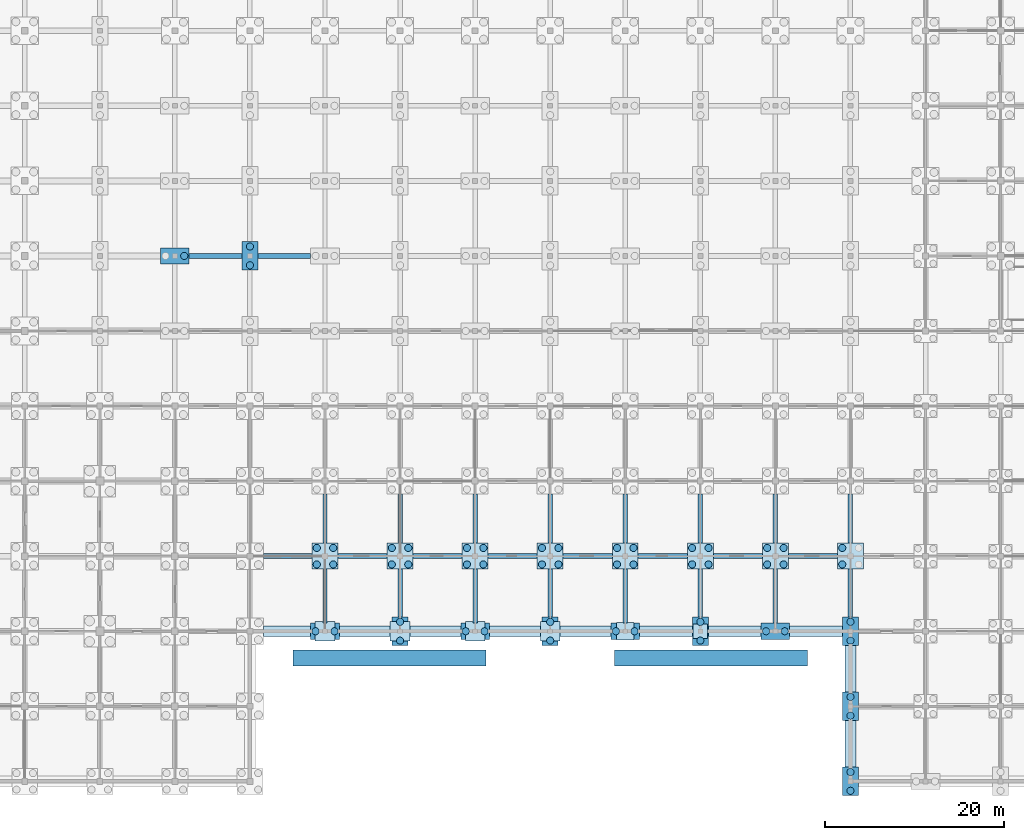
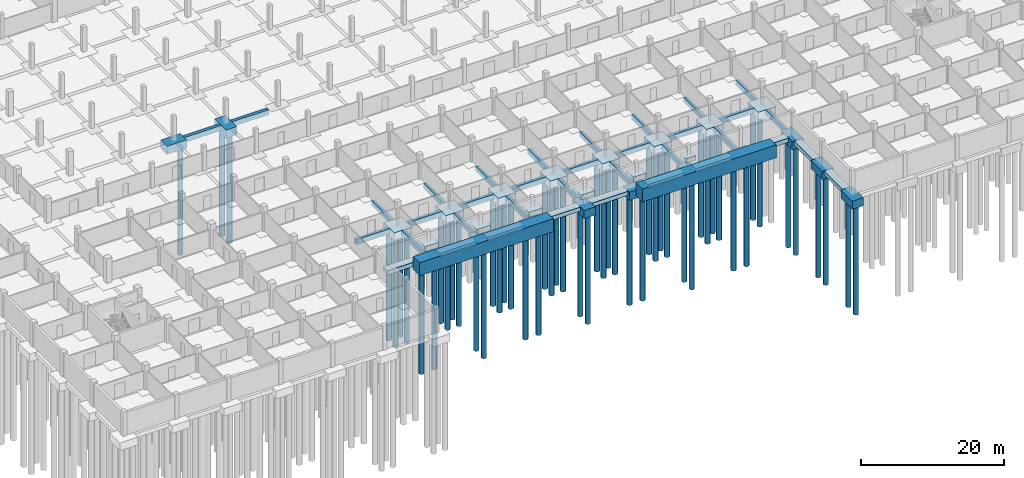
# One storey, part 4 of 43: 64 footings, 53 piles.
"""IFC4 building model written with IfcOpenShell, lengths in metres."""

from ifc_helpers import new_model, si_unit, direction, frame, origin, origin_2d, place, context, subcontext, project, spatial, rectangle, circle, extrude, material, material_profile, profile_set, type_object, element, save


model = new_model("IFC4")

# Units and contexts
model_context = context("Model", 3, precision=1e-05, world=origin(), true_north=direction((0.0, 1.0)))
body_context = subcontext(model_context, "Body", "Model", "MODEL_VIEW")
ifc_project = project(units=[si_unit("LENGTHUNIT", "METRE"), si_unit("AREAUNIT", "SQUARE_METRE"), si_unit("VOLUMEUNIT", "CUBIC_METRE"), si_unit("PLANEANGLEUNIT", "RADIAN"), si_unit("MASSUNIT", "GRAM", prefix="KILO")], contexts=[model_context])

# Site, building, storey
site_placement = place(None, origin())
site = spatial("IfcSite", under=ifc_project, at=site_placement, CompositionType="ELEMENT")
building_placement = place(site_placement, origin())
building = spatial("IfcBuilding", under=site, at=building_placement, Name="Varnapada Polytechnic", CompositionType="ELEMENT")
storey_placement = place(building_placement, frame((0.0, 0.0, -4.199951171875)))
storey = spatial("IfcBuildingStorey", under=building, at=storey_placement, Name="B1", CompositionType="ELEMENT", Elevation=-4.199951171875)

# Piles
ifc_material = material(Name="Concrete C40/50", Category="concrete")
ifc_material_profile = material_profile(ifc_material, circle(Radius=0.39990234375, at=origin_2d()), Name="BP 800")
ifc_profile_set = profile_set([ifc_material_profile], Name="Concrete C40/50")
pile_type = type_object("IfcPileType", Name="Bored Pile BP 800", PredefinedType="BORED", material=ifc_profile_set)
for number, where, z_axis, x_axis, name in (
    (1, (51.449951171875, 58.800048828125, -1.300048828125), (0.0, 0.0, -1.0), (1.0, 0.0, 0.0), "Bored pile P-03 under CAP-06-07 (2)"),
    (2, (58.800048828125, 57.75, -1.300048828125), (0.0, 0.0, -1.0), (1.0, 0.0, 0.0), "Bored pile P-03 under CAP-07-07 (1)"),
    (3, (58.800048828125, 59.85009765625, -1.300048828125), (0.0, 0.0, -1.0), (1.0, 0.0, 0.0), "Bored pile P-03 under CAP-07-07 (2)"),
    (4, (66.14990234375, 16.800048828125, -1.300048828125), (0.0, 0.0, -1.0), (1.0, 0.0, 0.0), "Bored pile P-03 under CAP-08-02 (1)"),
    (5, (68.25, 16.800048828125, -1.300048828125), (0.0, 0.0, -1.0), (1.0, 0.0, 0.0), "Bored pile P-03 under CAP-08-02 (2)"),
):
    element("IfcPile", number, at=place(storey_placement, frame(where, z_axis=z_axis, x_axis=x_axis)), inside=storey, type_object=pile_type, Name=name, PredefinedType="BORED", context=body_context, shape_type="SweptSolid", body=[
        extrude(circle(Radius=0.39990234375, at=origin_2d()), origin(), (0.0, 0.0, 1.0), 18.5),
    ])
for number, where, z_axis, x_axis, name in (
    (6, (66.280029296875, 24.280029296875, -1.199951171875), (0.0, 0.0, -1.0), (1.0, 0.0, 0.0), "Bored pile P-03 under CAP-08-03 (1)"),
    (7, (68.1201171875, 24.280029296875, -1.199951171875), (0.0, 0.0, -1.0), (1.0, 0.0, 0.0), "Bored pile P-03 under CAP-08-03 (2)"),
    (8, (66.280029296875, 26.1201171875, -1.199951171875), (0.0, 0.0, -1.0), (1.0, 0.0, 0.0), "Bored pile P-03 under CAP-08-03 (3)"),
    (9, (68.1201171875, 26.1201171875, -1.199951171875), (0.0, 0.0, -1.0), (1.0, 0.0, 0.0), "Bored pile P-03 under CAP-08-03 (4)"),
):
    element("IfcPile", number, at=place(storey_placement, frame(where, z_axis=z_axis, x_axis=x_axis)), inside=storey, type_object=pile_type, Name=name, PredefinedType="BORED", context=body_context, shape_type="SweptSolid", body=[
        extrude(circle(Radius=0.39990234375, at=origin_2d()), origin(), (0.0, 0.0, 1.0), 18.60009765625),
    ])
for number, where, z_axis, x_axis, name in (
    (10, (75.60009765625, 15.75, -1.300048828125), (0.0, 0.0, -1.0), (1.0, 0.0, 0.0), "Bored pile P-03 under CAP-09-02 (1)"),
    (11, (75.60009765625, 17.85009765625, -1.300048828125), (0.0, 0.0, -1.0), (1.0, 0.0, 0.0), "Bored pile P-03 under CAP-09-02 (2)"),
):
    element("IfcPile", number, at=place(storey_placement, frame(where, z_axis=z_axis, x_axis=x_axis)), inside=storey, type_object=pile_type, Name=name, PredefinedType="BORED", context=body_context, shape_type="SweptSolid", body=[
        extrude(circle(Radius=0.39990234375, at=origin_2d()), origin(), (0.0, 0.0, 1.0), 18.5),
    ])
for number, where, z_axis, x_axis, name in (
    (12, (74.679931640625, 24.280029296875, -1.199951171875), (0.0, 0.0, -1.0), (1.0, 0.0, 0.0), "Bored pile P-03 under CAP-09-03 (1)"),
    (13, (76.52001953125, 24.280029296875, -1.199951171875), (0.0, 0.0, -1.0), (1.0, 0.0, 0.0), "Bored pile P-03 under CAP-09-03 (2)"),
    (14, (74.679931640625, 26.1201171875, -1.199951171875), (0.0, 0.0, -1.0), (1.0, 0.0, 0.0), "Bored pile P-03 under CAP-09-03 (3)"),
    (15, (76.52001953125, 26.1201171875, -1.199951171875), (0.0, 0.0, -1.0), (1.0, 0.0, 0.0), "Bored pile P-03 under CAP-09-03 (4)"),
):
    element("IfcPile", number, at=place(storey_placement, frame(where, z_axis=z_axis, x_axis=x_axis)), inside=storey, type_object=pile_type, Name=name, PredefinedType="BORED", context=body_context, shape_type="SweptSolid", body=[
        extrude(circle(Radius=0.39990234375, at=origin_2d()), origin(), (0.0, 0.0, 1.0), 18.60009765625),
    ])
for number, where, z_axis, x_axis, name in (
    (16, (82.949951171875, 16.800048828125, -1.300048828125), (0.0, 0.0, -1.0), (1.0, 0.0, 0.0), "Bored pile P-03 under CAP-10-02 (1)"),
    (17, (85.050048828125, 16.800048828125, -1.300048828125), (0.0, 0.0, -1.0), (1.0, 0.0, 0.0), "Bored pile P-03 under CAP-10-02 (2)"),
):
    element("IfcPile", number, at=place(storey_placement, frame(where, z_axis=z_axis, x_axis=x_axis)), inside=storey, type_object=pile_type, Name=name, PredefinedType="BORED", context=body_context, shape_type="SweptSolid", body=[
        extrude(circle(Radius=0.39990234375, at=origin_2d()), origin(), (0.0, 0.0, 1.0), 18.5),
    ])
for number, where, z_axis, x_axis, name in (
    (18, (83.080078125, 24.280029296875, -1.199951171875), (0.0, 0.0, -1.0), (1.0, 0.0, 0.0), "Bored pile P-03 under CAP-10-03 (1)"),
    (19, (84.919921875, 24.280029296875, -1.199951171875), (0.0, 0.0, -1.0), (1.0, 0.0, 0.0), "Bored pile P-03 under CAP-10-03 (2)"),
    (20, (83.080078125, 26.1201171875, -1.199951171875), (0.0, 0.0, -1.0), (1.0, 0.0, 0.0), "Bored pile P-03 under CAP-10-03 (3)"),
    (21, (84.919921875, 26.1201171875, -1.199951171875), (0.0, 0.0, -1.0), (1.0, 0.0, 0.0), "Bored pile P-03 under CAP-10-03 (4)"),
):
    element("IfcPile", number, at=place(storey_placement, frame(where, z_axis=z_axis, x_axis=x_axis)), inside=storey, type_object=pile_type, Name=name, PredefinedType="BORED", context=body_context, shape_type="SweptSolid", body=[
        extrude(circle(Radius=0.39990234375, at=origin_2d()), origin(), (0.0, 0.0, 1.0), 18.60009765625),
    ])
for number, where, z_axis, x_axis, name in (
    (22, (92.39990234375, 15.75, -1.300048828125), (0.0, 0.0, -1.0), (1.0, 0.0, 0.0), "Bored pile P-03 under CAP-11-02 (1)"),
    (23, (92.39990234375, 17.85009765625, -1.300048828125), (0.0, 0.0, -1.0), (1.0, 0.0, 0.0), "Bored pile P-03 under CAP-11-02 (2)"),
):
    element("IfcPile", number, at=place(storey_placement, frame(where, z_axis=z_axis, x_axis=x_axis)), inside=storey, type_object=pile_type, Name=name, PredefinedType="BORED", context=body_context, shape_type="SweptSolid", body=[
        extrude(circle(Radius=0.39990234375, at=origin_2d()), origin(), (0.0, 0.0, 1.0), 18.5),
    ])
for number, where, z_axis, x_axis, name in (
    (24, (91.47998046875, 24.280029296875, -1.199951171875), (0.0, 0.0, -1.0), (1.0, 0.0, 0.0), "Bored pile P-03 under CAP-11-03 (1)"),
    (25, (93.320068359375, 24.280029296875, -1.199951171875), (0.0, 0.0, -1.0), (1.0, 0.0, 0.0), "Bored pile P-03 under CAP-11-03 (2)"),
    (26, (91.47998046875, 26.1201171875, -1.199951171875), (0.0, 0.0, -1.0), (1.0, 0.0, 0.0), "Bored pile P-03 under CAP-11-03 (3)"),
    (27, (93.320068359375, 26.1201171875, -1.199951171875), (0.0, 0.0, -1.0), (1.0, 0.0, 0.0), "Bored pile P-03 under CAP-11-03 (4)"),
):
    element("IfcPile", number, at=place(storey_placement, frame(where, z_axis=z_axis, x_axis=x_axis)), inside=storey, type_object=pile_type, Name=name, PredefinedType="BORED", context=body_context, shape_type="SweptSolid", body=[
        extrude(circle(Radius=0.39990234375, at=origin_2d()), origin(), (0.0, 0.0, 1.0), 18.60009765625),
    ])
for number, where, z_axis, x_axis, name in (
    (28, (99.75, 16.800048828125, -1.300048828125), (0.0, 0.0, -1.0), (1.0, 0.0, 0.0), "Bored pile P-03 under CAP-12-02 (1)"),
    (29, (101.85009765625, 16.800048828125, -1.300048828125), (0.0, 0.0, -1.0), (1.0, 0.0, 0.0), "Bored pile P-03 under CAP-12-02 (2)"),
):
    element("IfcPile", number, at=place(storey_placement, frame(where, z_axis=z_axis, x_axis=x_axis)), inside=storey, type_object=pile_type, Name=name, PredefinedType="BORED", context=body_context, shape_type="SweptSolid", body=[
        extrude(circle(Radius=0.39990234375, at=origin_2d()), origin(), (0.0, 0.0, 1.0), 18.5),
    ])
for number, where, z_axis, x_axis, name in (
    (30, (99.8798828125, 24.280029296875, -1.199951171875), (0.0, 0.0, -1.0), (1.0, 0.0, 0.0), "Bored pile P-03 under CAP-12-03 (1)"),
    (31, (101.719970703125, 24.280029296875, -1.199951171875), (0.0, 0.0, -1.0), (1.0, 0.0, 0.0), "Bored pile P-03 under CAP-12-03 (2)"),
    (32, (99.8798828125, 26.1201171875, -1.199951171875), (0.0, 0.0, -1.0), (1.0, 0.0, 0.0), "Bored pile P-03 under CAP-12-03 (3)"),
    (33, (101.719970703125, 26.1201171875, -1.199951171875), (0.0, 0.0, -1.0), (1.0, 0.0, 0.0), "Bored pile P-03 under CAP-12-03 (4)"),
):
    element("IfcPile", number, at=place(storey_placement, frame(where, z_axis=z_axis, x_axis=x_axis)), inside=storey, type_object=pile_type, Name=name, PredefinedType="BORED", context=body_context, shape_type="SweptSolid", body=[
        extrude(circle(Radius=0.39990234375, at=origin_2d()), origin(), (0.0, 0.0, 1.0), 18.60009765625),
    ])
for number, where, z_axis, x_axis, name in (
    (34, (109.199951171875, 15.75, -1.300048828125), (0.0, 0.0, -1.0), (1.0, 0.0, 0.0), "Bored pile P-03 under CAP-13-02 (1)"),
    (35, (109.199951171875, 17.85009765625, -1.300048828125), (0.0, 0.0, -1.0), (1.0, 0.0, 0.0), "Bored pile P-03 under CAP-13-02 (2)"),
):
    element("IfcPile", number, at=place(storey_placement, frame(where, z_axis=z_axis, x_axis=x_axis)), inside=storey, type_object=pile_type, Name=name, PredefinedType="BORED", context=body_context, shape_type="SweptSolid", body=[
        extrude(circle(Radius=0.39990234375, at=origin_2d()), origin(), (0.0, 0.0, 1.0), 18.5),
    ])
for number, where, z_axis, x_axis, name in (
    (36, (108.280029296875, 24.280029296875, -1.199951171875), (0.0, 0.0, -1.0), (1.0, 0.0, 0.0), "Bored pile P-03 under CAP-13-03 (1)"),
    (37, (110.1201171875, 24.280029296875, -1.199951171875), (0.0, 0.0, -1.0), (1.0, 0.0, 0.0), "Bored pile P-03 under CAP-13-03 (2)"),
    (38, (108.280029296875, 26.1201171875, -1.199951171875), (0.0, 0.0, -1.0), (1.0, 0.0, 0.0), "Bored pile P-03 under CAP-13-03 (3)"),
    (39, (110.1201171875, 26.1201171875, -1.199951171875), (0.0, 0.0, -1.0), (1.0, 0.0, 0.0), "Bored pile P-03 under CAP-13-03 (4)"),
):
    element("IfcPile", number, at=place(storey_placement, frame(where, z_axis=z_axis, x_axis=x_axis)), inside=storey, type_object=pile_type, Name=name, PredefinedType="BORED", context=body_context, shape_type="SweptSolid", body=[
        extrude(circle(Radius=0.39990234375, at=origin_2d()), origin(), (0.0, 0.0, 1.0), 18.60009765625),
    ])
for number, where, z_axis, x_axis, name in (
    (40, (116.550048828125, 16.800048828125, -1.300048828125), (0.0, 0.0, -1.0), (1.0, 0.0, 0.0), "Bored pile P-03 under CAP-14-02 (1)"),
    (41, (118.64990234375, 16.800048828125, -1.300048828125), (0.0, 0.0, -1.0), (1.0, 0.0, 0.0), "Bored pile P-03 under CAP-14-02 (2)"),
):
    element("IfcPile", number, at=place(storey_placement, frame(where, z_axis=z_axis, x_axis=x_axis)), inside=storey, type_object=pile_type, Name=name, PredefinedType="BORED", context=body_context, shape_type="SweptSolid", body=[
        extrude(circle(Radius=0.39990234375, at=origin_2d()), origin(), (0.0, 0.0, 1.0), 18.5),
    ])
for number, where, z_axis, x_axis, name in (
    (42, (116.679931640625, 24.280029296875, -1.199951171875), (0.0, 0.0, -1.0), (1.0, 0.0, 0.0), "Bored pile P-03 under CAP-14-03 (1)"),
    (43, (118.52001953125, 24.280029296875, -1.199951171875), (0.0, 0.0, -1.0), (1.0, 0.0, 0.0), "Bored pile P-03 under CAP-14-03 (2)"),
    (44, (116.679931640625, 26.1201171875, -1.199951171875), (0.0, 0.0, -1.0), (1.0, 0.0, 0.0), "Bored pile P-03 under CAP-14-03 (3)"),
    (45, (118.52001953125, 26.1201171875, -1.199951171875), (0.0, 0.0, -1.0), (1.0, 0.0, 0.0), "Bored pile P-03 under CAP-14-03 (4)"),
):
    element("IfcPile", number, at=place(storey_placement, frame(where, z_axis=z_axis, x_axis=x_axis)), inside=storey, type_object=pile_type, Name=name, PredefinedType="BORED", context=body_context, shape_type="SweptSolid", body=[
        extrude(circle(Radius=0.39990234375, at=origin_2d()), origin(), (0.0, 0.0, 1.0), 18.60009765625),
    ])
for number, where, z_axis, x_axis, name in (
    (46, (126.0, -1.050048828125, -1.300048828125), (0.0, 0.0, -1.0), (1.0, 0.0, 0.0), "Bored pile P-03 under CAP-15-00 (1)"),
    (47, (126.0, 1.050048828125, -1.300048828125), (0.0, 0.0, -1.0), (1.0, 0.0, 0.0), "Bored pile P-03 under CAP-15-00 (2)"),
    (48, (126.0, 7.35009765625, -1.300048828125), (0.0, 0.0, -1.0), (1.0, 0.0, 0.0), "Bored pile P-03 under CAP-15-01 (1)"),
    (49, (126.0, 9.449951171875, -1.300048828125), (0.0, 0.0, -1.0), (1.0, 0.0, 0.0), "Bored pile P-03 under CAP-15-01 (2)"),
    (50, (126.0, 15.75, -1.300048828125), (0.0, 0.0, -1.0), (1.0, 0.0, 0.0), "Bored pile P-03 under CAP-15-02 (1)"),
    (51, (126.0, 17.85009765625, -1.300048828125), (0.0, 0.0, -1.0), (1.0, 0.0, 0.0), "Bored pile P-03 under CAP-15-02 (2)"),
):
    element("IfcPile", number, at=place(storey_placement, frame(where, z_axis=z_axis, x_axis=x_axis)), inside=storey, type_object=pile_type, Name=name, PredefinedType="BORED", context=body_context, shape_type="SweptSolid", body=[
        extrude(circle(Radius=0.39990234375, at=origin_2d()), origin(), (0.0, 0.0, 1.0), 18.5),
    ])
for number, where, z_axis, x_axis, name in (
    (52, (125.080078125, 24.280029296875, -1.199951171875), (0.0, 0.0, -1.0), (1.0, 0.0, 0.0), "Bored pile P-03 under CAP-15-03 (1)"),
    (53, (125.080078125, 26.1201171875, -1.199951171875), (0.0, 0.0, -1.0), (1.0, 0.0, 0.0), "Bored pile P-03 under CAP-15-03 (3)"),
):
    element("IfcPile", number, at=place(storey_placement, frame(where, z_axis=z_axis, x_axis=x_axis)), inside=storey, type_object=pile_type, Name=name, PredefinedType="BORED", context=body_context, shape_type="SweptSolid", body=[
        extrude(circle(Radius=0.39990234375, at=origin_2d()), origin(), (0.0, 0.0, 1.0), 18.60009765625),
    ])

# Footings
footing_type_1 = type_object("IfcFootingType", Name="Footing GB-02", PredefinedType="FOOTING_BEAM", material=ifc_material)
footing_1_placement = place(storey_placement, frame((67.199951171875, 20.72509765625, -0.80029296875), z_axis=(0.0, 0.0, 1.0), x_axis=(0.0, 1.0, 0.0)))
element("IfcFooting", 54, at=footing_1_placement, inside=storey, type_object=footing_type_1, Name="Ground footing beam GB-02 Y 3-4", PredefinedType="FOOTING_BEAM", context=body_context, shape_type="SweptSolid", body=[
    extrude(rectangle(XDim=6.050048828125, YDim=0.5, at=origin_2d()), origin(), (0.0, 0.0, 1.0), 0.800048828125),
])
footing_2_placement = place(storey_placement, frame((67.199951171875, 29.39990234375, -0.80029296875), z_axis=(0.0, 0.0, 1.0), x_axis=(0.0, 1.0, 0.0)))
element("IfcFooting", 55, at=footing_2_placement, inside=storey, type_object=footing_type_1, Name="Ground footing beam GB-02 Y 4-5", PredefinedType="FOOTING_BEAM", context=body_context, shape_type="SweptSolid", body=[
    extrude(rectangle(XDim=5.5, YDim=0.5, at=origin_2d()), origin(), (0.0, 0.0, 1.0), 0.800048828125),
])
footing_3_placement = place(storey_placement, frame((75.60009765625, 21.074951171875, -0.80029296875), z_axis=(0.0, 0.0, 1.0), x_axis=(0.0, 1.0, 0.0)))
element("IfcFooting", 56, at=footing_3_placement, inside=storey, type_object=footing_type_1, Name="Ground footing beam GB-02 Y 3-4", PredefinedType="FOOTING_BEAM", context=body_context, shape_type="SweptSolid", body=[
    extrude(rectangle(XDim=5.35009765625, YDim=0.5, at=origin_2d()), origin(), (0.0, 0.0, 1.0), 0.800048828125),
])
footing_4_placement = place(storey_placement, frame((75.60009765625, 29.39990234375, -0.80029296875), z_axis=(0.0, 0.0, 1.0), x_axis=(0.0, 1.0, 0.0)))
element("IfcFooting", 57, at=footing_4_placement, inside=storey, type_object=footing_type_1, Name="Ground footing beam GB-02 Y 4-5", PredefinedType="FOOTING_BEAM", context=body_context, shape_type="SweptSolid", body=[
    extrude(rectangle(XDim=5.5, YDim=0.5, at=origin_2d()), origin(), (0.0, 0.0, 1.0), 0.800048828125),
])
footing_5_placement = place(storey_placement, frame((84.0, 20.72509765625, -0.80029296875), z_axis=(0.0, 0.0, 1.0), x_axis=(0.0, 1.0, 0.0)))
element("IfcFooting", 58, at=footing_5_placement, inside=storey, type_object=footing_type_1, Name="Ground footing beam GB-02 Y 3-4", PredefinedType="FOOTING_BEAM", context=body_context, shape_type="SweptSolid", body=[
    extrude(rectangle(XDim=6.050048828125, YDim=0.5, at=origin_2d()), origin(), (0.0, 0.0, 1.0), 0.800048828125),
])
footing_6_placement = place(storey_placement, frame((84.0, 29.39990234375, -0.80029296875), z_axis=(0.0, 0.0, 1.0), x_axis=(0.0, 1.0, 0.0)))
element("IfcFooting", 59, at=footing_6_placement, inside=storey, type_object=footing_type_1, Name="Ground footing beam GB-02 Y 4-5", PredefinedType="FOOTING_BEAM", context=body_context, shape_type="SweptSolid", body=[
    extrude(rectangle(XDim=5.5, YDim=0.5, at=origin_2d()), origin(), (0.0, 0.0, 1.0), 0.800048828125),
])
footing_7_placement = place(storey_placement, frame((92.39990234375, 21.074951171875, -0.80029296875), z_axis=(0.0, 0.0, 1.0), x_axis=(0.0, 1.0, 0.0)))
element("IfcFooting", 60, at=footing_7_placement, inside=storey, type_object=footing_type_1, Name="Ground footing beam GB-02 Y 3-4", PredefinedType="FOOTING_BEAM", context=body_context, shape_type="SweptSolid", body=[
    extrude(rectangle(XDim=5.35009765625, YDim=0.5, at=origin_2d()), origin(), (0.0, 0.0, 1.0), 0.800048828125),
])
footing_8_placement = place(storey_placement, frame((92.39990234375, 29.39990234375, -0.80029296875), z_axis=(0.0, 0.0, 1.0), x_axis=(0.0, 1.0, 0.0)))
element("IfcFooting", 61, at=footing_8_placement, inside=storey, type_object=footing_type_1, Name="Ground footing beam GB-02 Y 4-5", PredefinedType="FOOTING_BEAM", context=body_context, shape_type="SweptSolid", body=[
    extrude(rectangle(XDim=5.5, YDim=0.5, at=origin_2d()), origin(), (0.0, 0.0, 1.0), 0.800048828125),
])
footing_9_placement = place(storey_placement, frame((100.800048828125, 20.72509765625, -0.80029296875), z_axis=(0.0, 0.0, 1.0), x_axis=(0.0, 1.0, 0.0)))
element("IfcFooting", 62, at=footing_9_placement, inside=storey, type_object=footing_type_1, Name="Ground footing beam GB-02 Y 3-4", PredefinedType="FOOTING_BEAM", context=body_context, shape_type="SweptSolid", body=[
    extrude(rectangle(XDim=6.050048828125, YDim=0.5, at=origin_2d()), origin(), (0.0, 0.0, 1.0), 0.800048828125),
])
footing_10_placement = place(storey_placement, frame((100.800048828125, 29.39990234375, -0.80029296875), z_axis=(0.0, 0.0, 1.0), x_axis=(0.0, 1.0, 0.0)))
element("IfcFooting", 63, at=footing_10_placement, inside=storey, type_object=footing_type_1, Name="Ground footing beam GB-02 Y 4-5", PredefinedType="FOOTING_BEAM", context=body_context, shape_type="SweptSolid", body=[
    extrude(rectangle(XDim=5.5, YDim=0.5, at=origin_2d()), origin(), (0.0, 0.0, 1.0), 0.800048828125),
])
footing_11_placement = place(storey_placement, frame((109.199951171875, 21.074951171875, -0.80029296875), z_axis=(0.0, 0.0, 1.0), x_axis=(0.0, 1.0, 0.0)))
element("IfcFooting", 64, at=footing_11_placement, inside=storey, type_object=footing_type_1, Name="Ground footing beam GB-02 Y 3-4", PredefinedType="FOOTING_BEAM", context=body_context, shape_type="SweptSolid", body=[
    extrude(rectangle(XDim=5.35009765625, YDim=0.5, at=origin_2d()), origin(), (0.0, 0.0, 1.0), 0.800048828125),
])
footing_12_placement = place(storey_placement, frame((109.199951171875, 29.39990234375, -0.80029296875), z_axis=(0.0, 0.0, 1.0), x_axis=(0.0, 1.0, 0.0)))
element("IfcFooting", 65, at=footing_12_placement, inside=storey, type_object=footing_type_1, Name="Ground footing beam GB-02 Y 4-5", PredefinedType="FOOTING_BEAM", context=body_context, shape_type="SweptSolid", body=[
    extrude(rectangle(XDim=5.5, YDim=0.5, at=origin_2d()), origin(), (0.0, 0.0, 1.0), 0.800048828125),
])
footing_13_placement = place(storey_placement, frame((117.60009765625, 20.72509765625, -0.80029296875), z_axis=(0.0, 0.0, 1.0), x_axis=(0.0, 1.0, 0.0)))
element("IfcFooting", 66, at=footing_13_placement, inside=storey, type_object=footing_type_1, Name="Ground footing beam GB-02 Y 3-4", PredefinedType="FOOTING_BEAM", context=body_context, shape_type="SweptSolid", body=[
    extrude(rectangle(XDim=6.050048828125, YDim=0.5, at=origin_2d()), origin(), (0.0, 0.0, 1.0), 0.800048828125),
])
footing_14_placement = place(storey_placement, frame((117.60009765625, 29.39990234375, -0.80029296875), z_axis=(0.0, 0.0, 1.0), x_axis=(0.0, 1.0, 0.0)))
element("IfcFooting", 67, at=footing_14_placement, inside=storey, type_object=footing_type_1, Name="Ground footing beam GB-02 Y 4-5", PredefinedType="FOOTING_BEAM", context=body_context, shape_type="SweptSolid", body=[
    extrude(rectangle(XDim=5.5, YDim=0.5, at=origin_2d()), origin(), (0.0, 0.0, 1.0), 0.800048828125),
])
footing_15_placement = place(storey_placement, frame((126.0, 21.074951171875, -0.80029296875), z_axis=(0.0, 0.0, 1.0), x_axis=(0.0, 1.0, 0.0)))
element("IfcFooting", 68, at=footing_15_placement, inside=storey, type_object=footing_type_1, Name="Ground footing beam GB-02 Y 3-4", PredefinedType="FOOTING_BEAM", context=body_context, shape_type="SweptSolid", body=[
    extrude(rectangle(XDim=5.35009765625, YDim=0.5, at=origin_2d()), origin(), (0.0, 0.0, 1.0), 0.800048828125),
])
footing_16_placement = place(storey_placement, frame((126.0, 29.39990234375, -0.80029296875), z_axis=(0.0, 0.0, 1.0), x_axis=(0.0, 1.0, 0.0)))
element("IfcFooting", 69, at=footing_16_placement, inside=storey, type_object=footing_type_1, Name="Ground footing beam GB-02 Y 4-5", PredefinedType="FOOTING_BEAM", context=body_context, shape_type="SweptSolid", body=[
    extrude(rectangle(XDim=5.5, YDim=0.5, at=origin_2d()), origin(), (0.0, 0.0, 1.0), 0.800048828125),
])
footing_type_2 = type_object("IfcFootingType", Name="Footing GB-04", PredefinedType="FOOTING_BEAM", material=ifc_material)
footing_17_placement = place(storey_placement, frame((54.949951171875, 58.800048828125, -0.85009765625), z_axis=(0.0, 0.0, 1.0), x_axis=(1.0, 0.0, 0.0)))
element("IfcFooting", 70, at=footing_17_placement, inside=storey, type_object=footing_type_2, Name="Ground footing beam GB-04 X 7-8", PredefinedType="FOOTING_BEAM", context=body_context, shape_type="SweptSolid", body=[
    extrude(rectangle(XDim=5.89990234375, YDim=0.550048828125, at=origin_2d()), origin(), (0.0, 0.0, 1.0), 0.85009765625),
])
footing_18_placement = place(storey_placement, frame((63.02490234375, 25.199951171875, -0.85009765625), z_axis=(0.0, 0.0, 1.0), x_axis=(1.0, 0.0, 0.0)))
element("IfcFooting", 71, at=footing_18_placement, inside=storey, type_object=footing_type_2, Name="Ground footing beam GB-04 X 8-9", PredefinedType="FOOTING_BEAM", context=body_context, shape_type="SweptSolid", body=[
    extrude(rectangle(XDim=5.449951171875, YDim=0.550048828125, at=origin_2d()), origin(), (0.0, 0.0, 1.0), 0.85009765625),
])
footing_19_placement = place(storey_placement, frame((62.64990234375, 58.800048828125, -0.85009765625), z_axis=(0.0, 0.0, 1.0), x_axis=(1.0, 0.0, 0.0)))
element("IfcFooting", 72, at=footing_19_placement, inside=storey, type_object=footing_type_2, Name="Ground footing beam GB-04 X 8-9", PredefinedType="FOOTING_BEAM", context=body_context, shape_type="SweptSolid", body=[
    extrude(rectangle(XDim=5.89990234375, YDim=0.550048828125, at=origin_2d()), origin(), (0.0, 0.0, 1.0), 0.85009765625),
])
for number, where, z_axis, x_axis, name in (
    (73, (71.39990234375, 25.199951171875, -0.85009765625), (0.0, 0.0, 1.0), (1.0, 0.0, 0.0), "Ground footing beam GB-04 X 9-10"),
    (74, (79.800048828125, 25.199951171875, -0.85009765625), (0.0, 0.0, 1.0), (1.0, 0.0, 0.0), "Ground footing beam GB-04 X 10-11"),
    (75, (88.199951171875, 25.199951171875, -0.85009765625), (0.0, 0.0, 1.0), (1.0, 0.0, 0.0), "Ground footing beam GB-04 X 11-12"),
    (76, (96.60009765625, 25.199951171875, -0.85009765625), (0.0, 0.0, 1.0), (1.0, 0.0, 0.0), "Ground footing beam GB-04 X 12-13"),
    (77, (105.0, 25.199951171875, -0.85009765625), (0.0, 0.0, 1.0), (1.0, 0.0, 0.0), "Ground footing beam GB-04 X 13-14"),
    (78, (113.39990234375, 25.199951171875, -0.85009765625), (0.0, 0.0, 1.0), (1.0, 0.0, 0.0), "Ground footing beam GB-04 X 14-15"),
    (79, (121.800048828125, 25.199951171875, -0.85009765625), (0.0, 0.0, 1.0), (1.0, 0.0, 0.0), "Ground footing beam GB-04 X 15-16"),
):
    element("IfcFooting", number, at=place(storey_placement, frame(where, z_axis=z_axis, x_axis=x_axis)), inside=storey, type_object=footing_type_2, Name=name, PredefinedType="FOOTING_BEAM", context=body_context, shape_type="SweptSolid", body=[
        extrude(rectangle(XDim=5.5, YDim=0.550048828125, at=origin_2d()), origin(), (0.0, 0.0, 1.0), 0.85009765625),
    ])
footing_type_3 = type_object("IfcFootingType", Name="Footing PC-04", PredefinedType="PILE_CAP", material=ifc_material)
for number, where, z_axis, x_axis, name in (
    (80, (50.39990234375, 58.800048828125, -1.39990234375), (0.0, 0.0, 1.0), (1.0, 0.0, 0.0), "Pile cap PC-04 at grid 7/8"),
    (81, (67.199951171875, 16.800048828125, -1.39990234375), (0.0, 0.0, 1.0), (1.0, 0.0, 0.0), "Pile cap PC-04 at grid 9/3"),
    (82, (84.0, 16.800048828125, -1.39990234375), (0.0, 0.0, 1.0), (1.0, 0.0, 0.0), "Pile cap PC-04 at grid 11/3"),
    (83, (100.800048828125, 16.800048828125, -1.39990234375), (0.0, 0.0, 1.0), (1.0, 0.0, 0.0), "Pile cap PC-04 at grid 13/3"),
    (84, (117.60009765625, 16.800048828125, -1.39990234375), (0.0, 0.0, 1.0), (1.0, 0.0, 0.0), "Pile cap PC-04 at grid 15/3"),
):
    element("IfcFooting", number, at=place(storey_placement, frame(where, z_axis=z_axis, x_axis=x_axis)), inside=storey, type_object=footing_type_3, Name=name, PredefinedType="PILE_CAP", context=body_context, shape_type="SweptSolid", body=[
        extrude(rectangle(XDim=3.199951171875, YDim=1.800048828125, at=origin_2d()), origin(), (0.0, 0.0, 1.0), 1.39990234375),
    ])
footing_type_4 = type_object("IfcFootingType", Name="Footing PC-05", PredefinedType="PILE_CAP", material=ifc_material)
for number, where, z_axis, x_axis, name in (
    (85, (58.800048828125, 58.800048828125, -1.39990234375), (0.0, 0.0, 1.0), (1.0, 0.0, 0.0), "Pile cap PC-05 at grid 8/8"),
    (86, (75.60009765625, 16.800048828125, -1.39990234375), (0.0, 0.0, 1.0), (1.0, 0.0, 0.0), "Pile cap PC-05 at grid 10/3"),
    (87, (92.39990234375, 16.800048828125, -1.39990234375), (0.0, 0.0, 1.0), (1.0, 0.0, 0.0), "Pile cap PC-05 at grid 12/3"),
    (88, (109.199951171875, 16.800048828125, -1.39990234375), (0.0, 0.0, 1.0), (1.0, 0.0, 0.0), "Pile cap PC-05 at grid 14/3"),
    (89, (126.0, 0.0, -1.39990234375), (0.0, 0.0, 1.0), (1.0, 0.0, 0.0), "Pile cap PC-05 at grid 16/1"),
    (90, (126.0, 8.39990234375, -1.39990234375), (0.0, 0.0, 1.0), (1.0, 0.0, 0.0), "Pile cap PC-05 at grid 16/2"),
    (91, (126.0, 16.800048828125, -1.39990234375), (0.0, 0.0, 1.0), (1.0, 0.0, 0.0), "Pile cap PC-05 at grid 16/3"),
):
    element("IfcFooting", number, at=place(storey_placement, frame(where, z_axis=z_axis, x_axis=x_axis)), inside=storey, type_object=footing_type_4, Name=name, PredefinedType="PILE_CAP", context=body_context, shape_type="SweptSolid", body=[
        extrude(rectangle(XDim=1.800048828125, YDim=3.199951171875, at=origin_2d()), origin(), (0.0, 0.0, 1.0), 1.39990234375),
    ])
footing_type_5 = type_object("IfcFootingType", Name="Footing PC-09", PredefinedType="PILE_CAP", material=ifc_material)
for number, where, z_axis, x_axis, name in (
    (92, (67.199951171875, 25.199951171875, -1.30029296875), (0.0, 0.0, 1.0), (1.0, 0.0, 0.0), "Pile cap PC-09 at grid 9/4"),
    (93, (75.60009765625, 25.199951171875, -1.30029296875), (0.0, 0.0, 1.0), (1.0, 0.0, 0.0), "Pile cap PC-09 at grid 10/4"),
    (94, (84.0, 25.199951171875, -1.30029296875), (0.0, 0.0, 1.0), (1.0, 0.0, 0.0), "Pile cap PC-09 at grid 11/4"),
    (95, (92.39990234375, 25.199951171875, -1.30029296875), (0.0, 0.0, 1.0), (1.0, 0.0, 0.0), "Pile cap PC-09 at grid 12/4"),
    (96, (100.800048828125, 25.199951171875, -1.30029296875), (0.0, 0.0, 1.0), (1.0, 0.0, 0.0), "Pile cap PC-09 at grid 13/4"),
    (97, (109.199951171875, 25.199951171875, -1.30029296875), (0.0, 0.0, 1.0), (1.0, 0.0, 0.0), "Pile cap PC-09 at grid 14/4"),
    (98, (117.60009765625, 25.199951171875, -1.30029296875), (0.0, 0.0, 1.0), (1.0, 0.0, 0.0), "Pile cap PC-09 at grid 15/4"),
    (99, (126.0, 25.199951171875, -1.30029296875), (0.0, 0.0, 1.0), (1.0, 0.0, 0.0), "Pile cap PC-09 at grid 16/4"),
):
    element("IfcFooting", number, at=place(storey_placement, frame(where, z_axis=z_axis, x_axis=x_axis)), inside=storey, type_object=footing_type_5, Name=name, PredefinedType="PILE_CAP", context=body_context, shape_type="SweptSolid", body=[
        extrude(rectangle(XDim=2.89990234375, YDim=2.89990234375, at=origin_2d()), origin(), (0.0, 0.0, 1.0), 1.300048828125),
    ])
footing_type_6 = type_object("IfcFootingType", Name="Footing PF-01", PredefinedType="PAD_FOOTING", material=ifc_material)
for number, where, z_axis, x_axis, name in (
    (100, (67.199951171875, 16.800048828125, 1.5), (0.0, 0.0, 1.0), (1.0, 0.0, 0.0), "Colonnade apron pad footing PF-01"),
    (101, (75.60009765625, 16.800048828125, 1.5), (0.0, 0.0, 1.0), (1.0, 0.0, 0.0), "Colonnade apron pad footing PF-01"),
    (102, (84.0, 16.800048828125, 1.5), (0.0, 0.0, 1.0), (1.0, 0.0, 0.0), "Colonnade apron pad footing PF-01"),
    (103, (92.39990234375, 16.800048828125, 1.5), (0.0, 0.0, 1.0), (1.0, 0.0, 0.0), "Colonnade apron pad footing PF-01"),
):
    element("IfcFooting", number, at=place(storey_placement, frame(where, z_axis=z_axis, x_axis=x_axis)), inside=storey, type_object=footing_type_6, Name=name, PredefinedType="PAD_FOOTING", context=body_context, shape_type="SweptSolid", body=[
        extrude(rectangle(XDim=2.199951171875, YDim=2.199951171875, at=origin_2d()), origin(), (0.0, 0.0, 1.0), 0.89990234375),
    ])
footing_type_7 = type_object("IfcFootingType", Name="Footing PF-03", PredefinedType="PAD_FOOTING", material=ifc_material)
footing_20_placement = place(storey_placement, frame((100.800048828125, 16.800048828125, 1.5498046875), z_axis=(0.0, 0.0, 1.0), x_axis=(1.0, 0.0, 0.0)))
element("IfcFooting", 104, at=footing_20_placement, inside=storey, type_object=footing_type_7, Name="Colonnade apron pad footing PF-03", PredefinedType="PAD_FOOTING", context=body_context, shape_type="SweptSolid", body=[
    extrude(rectangle(XDim=2.0, YDim=2.0, at=origin_2d()), origin(), (0.0, 0.0, 1.0), 0.85009765625),
])
footing_type_8 = type_object("IfcFootingType", Name="Footing PF-04", PredefinedType="PAD_FOOTING", material=ifc_material)
footing_21_placement = place(storey_placement, frame((109.199951171875, 16.800048828125, 1.64990234375), z_axis=(0.0, 0.0, 1.0), x_axis=(1.0, 0.0, 0.0)))
element("IfcFooting", 105, at=footing_21_placement, inside=storey, type_object=footing_type_8, Name="Colonnade apron pad footing PF-04", PredefinedType="PAD_FOOTING", context=body_context, shape_type="SweptSolid", body=[
    extrude(rectangle(XDim=1.60009765625, YDim=1.60009765625, at=origin_2d()), origin(), (0.0, 0.0, 1.0), 0.75),
])
footing_type_9 = type_object("IfcFootingType", Name="Footing SF-01", PredefinedType="STRIP_FOOTING", material=ifc_material)
footing_22_placement = place(storey_placement, frame((62.949951171875, 16.800048828125, -0.7001953125), z_axis=(0.0, 0.0, 1.0), x_axis=(1.0, 0.0, 0.0)))
element("IfcFooting", 106, at=footing_22_placement, inside=storey, type_object=footing_type_9, Name="Ground footing beam SF-01 X 8-9", PredefinedType="STRIP_FOOTING", context=body_context, shape_type="SweptSolid", body=[
    extrude(rectangle(XDim=5.300048828125, YDim=1.199951171875, at=origin_2d()), origin(), (0.0, 0.0, 1.0), 0.699951171875),
])
for number, where, z_axis, x_axis, name in (
    (107, (71.75, 16.800048828125, -0.7001953125), (0.0, 0.0, 1.0), (1.0, 0.0, 0.0), "Ground footing beam SF-01 X 9-10"),
    (108, (79.449951171875, 16.800048828125, -0.7001953125), (0.0, 0.0, 1.0), (1.0, 0.0, 0.0), "Ground footing beam SF-01 X 10-11"),
    (109, (88.550048828125, 16.800048828125, -0.7001953125), (0.0, 0.0, 1.0), (1.0, 0.0, 0.0), "Ground footing beam SF-01 X 11-12"),
    (110, (96.25, 16.800048828125, -0.7001953125), (0.0, 0.0, 1.0), (1.0, 0.0, 0.0), "Ground footing beam SF-01 X 12-13"),
    (111, (105.35009765625, 16.800048828125, -0.7001953125), (0.0, 0.0, 1.0), (1.0, 0.0, 0.0), "Ground footing beam SF-01 X 13-14"),
    (112, (113.050048828125, 16.800048828125, -0.7001953125), (0.0, 0.0, 1.0), (1.0, 0.0, 0.0), "Ground footing beam SF-01 X 14-15"),
    (113, (122.14990234375, 16.800048828125, -0.7001953125), (0.0, 0.0, 1.0), (1.0, 0.0, 0.0), "Ground footing beam SF-01 X 15-16"),
):
    element("IfcFooting", number, at=place(storey_placement, frame(where, z_axis=z_axis, x_axis=x_axis)), inside=storey, type_object=footing_type_9, Name=name, PredefinedType="STRIP_FOOTING", context=body_context, shape_type="SweptSolid", body=[
        extrude(rectangle(XDim=5.89990234375, YDim=1.199951171875, at=origin_2d()), origin(), (0.0, 0.0, 1.0), 0.699951171875),
    ])
for number, where, z_axis, x_axis, name in (
    (114, (126.0, 4.199951171875, -0.7001953125), (0.0, 0.0, 1.0), (0.0, 1.0, 0.0), "Ground footing beam SF-01 Y 1-2"),
    (115, (126.0, 12.60009765625, -0.7001953125), (0.0, 0.0, 1.0), (0.0, 1.0, 0.0), "Ground footing beam SF-01 Y 2-3"),
):
    element("IfcFooting", number, at=place(storey_placement, frame(where, z_axis=z_axis, x_axis=x_axis)), inside=storey, type_object=footing_type_9, Name=name, PredefinedType="STRIP_FOOTING", context=body_context, shape_type="SweptSolid", body=[
        extrude(rectangle(XDim=5.199951171875, YDim=1.199951171875, at=origin_2d()), origin(), (0.0, 0.0, 1.0), 0.699951171875),
    ])
footing_type_10 = type_object("IfcFootingType", Name="Footing SF-03", PredefinedType="STRIP_FOOTING", material=ifc_material)
for number, where, z_axis, x_axis, name in (
    (116, (74.39990234375, 13.800048828125, 0.0), (0.0, 0.0, 1.0), (1.0, 0.0, 0.0), "Ramp S1 continuous stem foundation footing"),
    (117, (110.39990234375, 13.800048828125, 0.0), (0.0, 0.0, 1.0), (1.0, 0.0, 0.0), "Ramp S2 continuous stem foundation footing"),
):
    element("IfcFooting", number, at=place(storey_placement, frame(where, z_axis=z_axis, x_axis=x_axis)), inside=storey, type_object=footing_type_10, Name=name, PredefinedType="STRIP_FOOTING", context=body_context, shape_type="SweptSolid", body=[
        extrude(rectangle(XDim=21.60009765625, YDim=1.800048828125, at=origin_2d()), origin(), (0.0, 0.0, 1.0), 2.219970703125),
    ])

save(model, "model.ifc")
